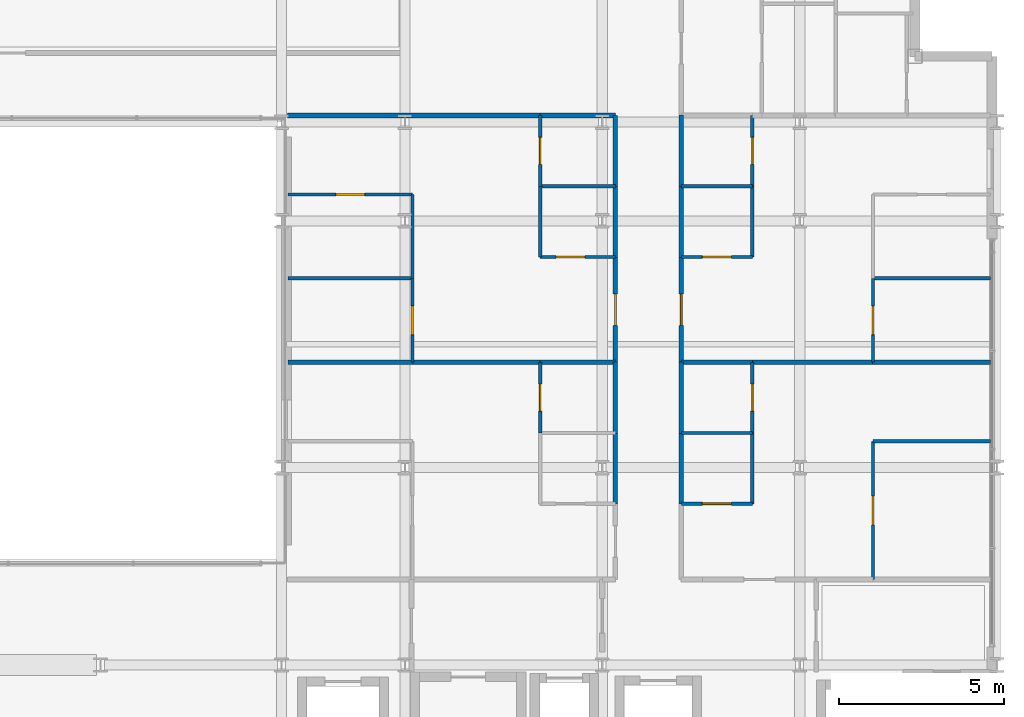
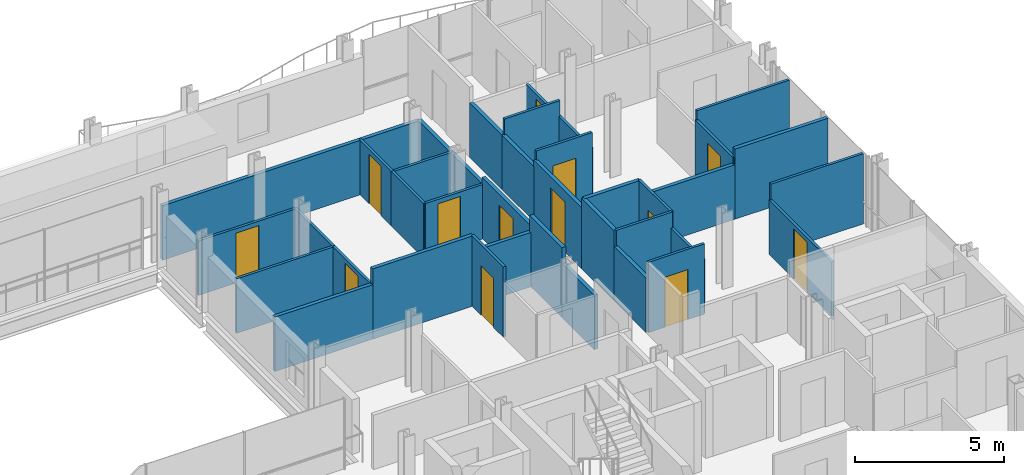
# One storey, part 36 of 40: 39 walls, 13 doors, 13 openings.
"""IFC4 building model written with IfcOpenShell, lengths in metres."""

from ifc_helpers import new_model, si_unit, direction, frame, frame_2d, origin, place, context, subcontext, project, spatial, rectangle, extrude, material, layer, layer_set, type_object, element, fill, save


model = new_model("IFC4")

# Units and contexts
model_context = context("Model", 3, precision=1e-05, world=origin(), true_north=direction((0.0, 1.0)))
body_context = subcontext(model_context, "Body", "Model", "MODEL_VIEW")
ifc_project = project(units=[si_unit("LENGTHUNIT", "METRE"), si_unit("AREAUNIT", "SQUARE_METRE"), si_unit("VOLUMEUNIT", "CUBIC_METRE"), si_unit("PLANEANGLEUNIT", "RADIAN"), si_unit("MASSUNIT", "GRAM", prefix="KILO")], contexts=[model_context])

# Site, building, storey
site_placement = place(None, origin())
site = spatial("IfcSite", under=ifc_project, at=site_placement, CompositionType="ELEMENT")
building_placement = place(site_placement, origin())
building = spatial("IfcBuilding", under=site, at=building_placement, Name="Brevholm Reach", CompositionType="ELEMENT")
storey_placement = place(building_placement, frame((0.0, 0.0, 80.699951171875)))
storey = spatial("IfcBuildingStorey", under=building, at=storey_placement, Name="L23", CompositionType="ELEMENT", Elevation=80.699951171875)

# Wall, opening, door
ifc_material_1 = material(Name="Moisture-Resistant Acoustic Gypsum Stud Partition 100 mm", Category="gypsum")
ifc_layer_1 = layer(ifc_material_1, 0.10009765625)
ifc_layer_set_1 = layer_set([ifc_layer_1], Name="Moisture-Resistant Acoustic Gypsum Stud Partition 100 mm")
wall_type_1 = type_object("IfcWallType", Name="WAL-PRT-100", PredefinedType="PARTITIONING", material=ifc_layer_set_1)
wall_1_placement = place(storey_placement, frame((46.112060546875, 17.050048828125, 0.0), z_axis=(0.0, 0.0, 1.0), x_axis=(0.0, 1.0, 0.0)))
wall_1 = element("IfcWall", 1, at=wall_1_placement, inside=storey, type_object=wall_type_1, Name="L23 Internal Partition 131", PredefinedType="PARTITIONING", context=body_context, shape_type="SweptSolid", body=[
    extrude(rectangle(XDim=2.14990234375, YDim=0.10009765625, at=frame_2d((1.074951171875, 0.0))), origin(), (0.0, 0.0, 1.0), 2.8701171875),
])
opening_1_placement = place(wall_1_placement, frame((0.6650390625, 0.0, 0.0)))
opening_1 = element("IfcOpeningElement", 2, at=opening_1_placement, cuts=wall_1, Name="Opening ID-03", PredefinedType="OPENING", context=body_context, shape_type="SweptSolid", body=[
    extrude(rectangle(XDim=0.820068359375, YDim=2.02001953125, at=frame_2d((0.41015625, 1.010009765625))), frame((0.0, 0.06005859375, 0.0), z_axis=(0.0, -1.0, 0.0), x_axis=(1.0, 0.0, 0.0)), (0.0, 0.0, 1.0), 0.1201171875),
])
ifc_material_2 = material(Name="Moisture-Resistant Painted Timber Internal Bathroom Door", Category="wood")
door_type_1 = type_object("IfcDoorType", Name="DOR-BATH-820", OperationType="NOTDEFINED", PredefinedType="DOOR", material=ifc_material_2)
door_1_placement = place(opening_1_placement, origin())
door_1 = element("IfcDoor", 3, at=door_1_placement, inside=storey, type_object=door_type_1, Name="L23 Internal Door 050", OperationType="SINGLE_SWING_LEFT", OverallHeight=2.02001953125, OverallWidth=0.820068359375, PredefinedType="DOOR", context=body_context, shape_type="SweptSolid", body=[
    extrude(rectangle(XDim=0.820068359375, YDim=2.02001953125, at=frame_2d((0.41015625, 1.010009765625))), frame((0.0, 0.02490234375, 0.0), z_axis=(0.0, -1.0, 0.0), x_axis=(1.0, 0.0, 0.0)), (0.0, 0.0, 1.0), 0.050048828125),
])
fill(opening_1, door_1)

# Wall
wall_2_placement = place(storey_placement, frame((46.112060546875, 24.550048828125, 0.0), z_axis=(0.0, 0.0, 1.0), x_axis=(1.0, 0.0, 0.0)))
element("IfcWall", 4, at=wall_2_placement, inside=storey, type_object=wall_type_1, Name="L23 Internal Partition 139", PredefinedType="PARTITIONING", context=body_context, shape_type="SweptSolid", body=[
    extrude(rectangle(XDim=2.283935546875, YDim=0.10009765625, at=frame_2d((1.14208984375, 0.0))), origin(), (0.0, 0.0, 1.0), 2.224853515625),
])

# Wall, opening, door
wall_3_placement = place(storey_placement, frame((46.112060546875, 24.550048828125, 0.0), z_axis=(0.0, 0.0, 1.0), x_axis=(0.0, 1.0, 0.0)))
wall_3 = element("IfcWall", 5, at=wall_3_placement, inside=storey, type_object=wall_type_1, Name="L23 Internal Partition 140", PredefinedType="PARTITIONING", context=body_context, shape_type="SweptSolid", body=[
    extrude(rectangle(XDim=2.14599609375, YDim=0.10009765625, at=frame_2d((1.072998046875, 0.0))), origin(), (0.0, 0.0, 1.0), 2.224853515625),
])
opening_2_placement = place(wall_3_placement, frame((0.6630859375, 0.0, 0.0)))
opening_2 = element("IfcOpeningElement", 6, at=opening_2_placement, cuts=wall_3, Name="Opening ID-03", PredefinedType="OPENING", context=body_context, shape_type="SweptSolid", body=[
    extrude(rectangle(XDim=0.820068359375, YDim=2.02001953125, at=frame_2d((0.41015625, 1.010009765625))), frame((0.0, 0.06005859375, 0.0), z_axis=(0.0, -1.0, 0.0), x_axis=(1.0, 0.0, 0.0)), (0.0, 0.0, 1.0), 0.1201171875),
])
door_2_placement = place(opening_2_placement, origin())
door_2 = element("IfcDoor", 7, at=door_2_placement, inside=storey, type_object=door_type_1, Name="L23 Internal Door 053", OperationType="SINGLE_SWING_RIGHT", OverallHeight=2.02001953125, OverallWidth=0.820068359375, PredefinedType="DOOR", context=body_context, shape_type="SweptSolid", body=[
    extrude(rectangle(XDim=0.820068359375, YDim=2.02001953125, at=frame_2d((0.41015625, 1.010009765625))), frame((0.0, 0.02490234375, 0.0), z_axis=(0.0, -1.0, 0.0), x_axis=(1.0, 0.0, 0.0)), (0.0, 0.0, 1.0), 0.050048828125),
])
fill(opening_2, door_2)

wall_4_placement = place(storey_placement, frame((46.112060546875, 22.39990234375, 0.0), z_axis=(0.0, 0.0, 1.0), x_axis=(1.0, 0.0, 0.0)))
wall_4 = element("IfcWall", 8, at=wall_4_placement, inside=storey, type_object=wall_type_1, Name="L23 Internal Partition 141", PredefinedType="PARTITIONING", context=body_context, shape_type="SweptSolid", body=[
    extrude(rectangle(XDim=2.283935546875, YDim=0.10009765625, at=frame_2d((1.14208984375, 0.0))), origin(), (0.0, 0.0, 1.0), 2.224853515625),
])
opening_3_placement = place(wall_4_placement, frame((0.48193359375, 0.0, 0.0)))
opening_3 = element("IfcOpeningElement", 9, at=opening_3_placement, cuts=wall_4, Name="Opening ID-01", PredefinedType="OPENING", context=body_context, shape_type="SweptSolid", body=[
    extrude(rectangle(XDim=0.8798828125, YDim=2.0400390625, at=frame_2d((0.43994140625, 1.02001953125))), frame((0.0, 0.06005859375, 0.0), z_axis=(0.0, -1.0, 0.0), x_axis=(1.0, 0.0, 0.0)), (0.0, 0.0, 1.0), 0.1201171875),
])
ifc_material_3 = material(Name="Lacquered Ash Solid-Core Acoustic Internal Door", Category="timber")
door_type_2 = type_object("IfcDoorType", Name="DOR-INT-880", OperationType="NOTDEFINED", PredefinedType="DOOR", material=ifc_material_3)
door_3_placement = place(opening_3_placement, origin())
door_3 = element("IfcDoor", 10, at=door_3_placement, inside=storey, type_object=door_type_2, Name="L23 Internal Door 054", OperationType="SINGLE_SWING_LEFT", OverallHeight=2.0400390625, OverallWidth=0.8798828125, PredefinedType="DOOR", context=body_context, shape_type="SweptSolid", body=[
    extrude(rectangle(XDim=0.8798828125, YDim=2.0400390625, at=frame_2d((0.43994140625, 1.02001953125))), frame((0.0, 0.02490234375, 0.0), z_axis=(0.0, -1.0, 0.0), x_axis=(1.0, 0.0, 0.0)), (0.0, 0.0, 1.0), 0.050048828125),
])
fill(opening_3, door_3)

# Walls
wall_5_placement = place(storey_placement, frame((46.112060546875, 22.39990234375, 0.0), z_axis=(0.0, 0.0, 1.0), x_axis=(0.0, 1.0, 0.0)))
element("IfcWall", 11, at=wall_5_placement, inside=storey, type_object=wall_type_1, Name="L23 Internal Partition 142", PredefinedType="PARTITIONING", context=body_context, shape_type="SweptSolid", body=[
    extrude(rectangle(XDim=2.14599609375, YDim=0.10009765625, at=frame_2d((1.072998046875, 0.0))), origin(), (0.0, 0.0, 1.0), 2.224853515625),
])
wall_6_placement = place(storey_placement, frame((38.449951171875, 21.75, 0.0), z_axis=(0.0, 0.0, 1.0), x_axis=(1.0, 0.0, 0.0)))
element("IfcWall", 12, at=wall_6_placement, inside=storey, type_object=wall_type_1, Name="L23 Internal Partition 143", PredefinedType="PARTITIONING", context=body_context, shape_type="SweptSolid", body=[
    extrude(rectangle(XDim=3.781005859375, YDim=0.10009765625, at=frame_2d((1.890625, 0.0))), origin(), (0.0, 0.0, 1.0), 2.224853515625),
])

# Wall, opening, door
wall_7_placement = place(storey_placement, frame((42.23095703125, 19.2041015625, 0.0), z_axis=(0.0, 0.0, 1.0), x_axis=(0.0, 1.0, 0.0)))
wall_7 = element("IfcWall", 13, at=wall_7_placement, inside=storey, type_object=wall_type_1, Name="L23 Internal Partition 144", PredefinedType="PARTITIONING", context=body_context, shape_type="SweptSolid", body=[
    extrude(rectangle(XDim=2.5458984375, YDim=0.10009765625, at=frame_2d((1.27294921875, 0.0))), origin(), (0.0, 0.0, 1.0), 2.224853515625),
])
opening_4_placement = place(wall_7_placement, frame((0.8330078125, 0.0, 0.0)))
opening_4 = element("IfcOpeningElement", 14, at=opening_4_placement, cuts=wall_7, Name="Opening ID-01", PredefinedType="OPENING", context=body_context, shape_type="SweptSolid", body=[
    extrude(rectangle(XDim=0.8798828125, YDim=2.0400390625, at=frame_2d((0.43994140625, 1.02001953125))), frame((0.0, 0.06005859375, 0.0), z_axis=(0.0, -1.0, 0.0), x_axis=(1.0, 0.0, 0.0)), (0.0, 0.0, 1.0), 0.1201171875),
])
door_4_placement = place(opening_4_placement, origin())
door_4 = element("IfcDoor", 15, at=door_4_placement, inside=storey, type_object=door_type_2, Name="L23 Internal Door 055", OperationType="SINGLE_SWING_RIGHT", OverallHeight=2.0400390625, OverallWidth=0.8798828125, PredefinedType="DOOR", context=body_context, shape_type="SweptSolid", body=[
    extrude(rectangle(XDim=0.8798828125, YDim=2.0400390625, at=frame_2d((0.43994140625, 1.02001953125))), frame((0.0, 0.02490234375, 0.0), z_axis=(0.0, -1.0, 0.0), x_axis=(1.0, 0.0, 0.0)), (0.0, 0.0, 1.0), 0.050048828125),
])
fill(opening_4, door_4)

# Wall
wall_8_placement = place(storey_placement, frame((42.23095703125, 21.75390625, 0.0), z_axis=(0.0, 0.0, 1.0), x_axis=(0.0, 1.0, 0.0)))
element("IfcWall", 16, at=wall_8_placement, inside=storey, type_object=wall_type_1, Name="L23 Internal Partition 145", PredefinedType="PARTITIONING", context=body_context, shape_type="SweptSolid", body=[
    extrude(rectangle(XDim=2.546142578125, YDim=0.10009765625, at=frame_2d((1.27294921875, 0.0))), origin(), (0.0, 0.0, 1.0), 2.224853515625),
])

# Wall, opening, door
wall_9_placement = place(storey_placement, frame((38.449951171875, 24.300048828125, 0.0), z_axis=(0.0, 0.0, 1.0), x_axis=(1.0, 0.0, 0.0)))
wall_9 = element("IfcWall", 17, at=wall_9_placement, inside=storey, type_object=wall_type_1, Name="L23 Internal Partition 146", PredefinedType="PARTITIONING", context=body_context, shape_type="SweptSolid", body=[
    extrude(rectangle(XDim=3.781005859375, YDim=0.10009765625, at=frame_2d((1.890625, 0.0))), origin(), (0.0, 0.0, 1.0), 2.224853515625),
])
opening_5_placement = place(wall_9_placement, frame((1.450439453125, 0.0, 0.0)))
opening_5 = element("IfcOpeningElement", 18, at=opening_5_placement, cuts=wall_9, Name="Opening ID-01", PredefinedType="OPENING", context=body_context, shape_type="SweptSolid", body=[
    extrude(rectangle(XDim=0.8798828125, YDim=2.0400390625, at=frame_2d((0.43994140625, 1.02001953125))), frame((0.0, 0.06005859375, 0.0), z_axis=(0.0, -1.0, 0.0), x_axis=(1.0, 0.0, 0.0)), (0.0, 0.0, 1.0), 0.1201171875),
])
door_5_placement = place(opening_5_placement, origin())
door_5 = element("IfcDoor", 19, at=door_5_placement, inside=storey, type_object=door_type_2, Name="L23 Internal Door 056", OperationType="SINGLE_SWING_LEFT", OverallHeight=2.0400390625, OverallWidth=0.8798828125, PredefinedType="DOOR", context=body_context, shape_type="SweptSolid", body=[
    extrude(rectangle(XDim=0.8798828125, YDim=2.0400390625, at=frame_2d((0.43994140625, 1.02001953125))), frame((0.0, 0.02490234375, 0.0), z_axis=(0.0, -1.0, 0.0), x_axis=(1.0, 0.0, 0.0)), (0.0, 0.0, 1.0), 0.050048828125),
])
fill(opening_5, door_5)

# Wall
wall_10_placement = place(storey_placement, frame((50.404052734375, 17.050048828125, 0.0), z_axis=(0.0, 0.0, 1.0), x_axis=(1.0, 0.0, 0.0)))
element("IfcWall", 20, at=wall_10_placement, inside=storey, type_object=wall_type_1, Name="L23 Internal Partition 147", PredefinedType="PARTITIONING", context=body_context, shape_type="SweptSolid", body=[
    extrude(rectangle(XDim=2.157958984375, YDim=0.10009765625, at=frame_2d((1.0791015625, 0.0))), origin(), (0.0, 0.0, 1.0), 2.8701171875),
])

# Wall, opening, door
wall_11_placement = place(storey_placement, frame((52.56201171875, 17.050048828125, 0.0), z_axis=(0.0, 0.0, 1.0), x_axis=(0.0, 1.0, 0.0)))
wall_11 = element("IfcWall", 21, at=wall_11_placement, inside=storey, type_object=wall_type_1, Name="L23 Internal Partition 148", PredefinedType="PARTITIONING", context=body_context, shape_type="SweptSolid", body=[
    extrude(rectangle(XDim=2.14990234375, YDim=0.10009765625, at=frame_2d((1.074951171875, 0.0))), origin(), (0.0, 0.0, 1.0), 2.8701171875),
])
opening_6_placement = place(wall_11_placement, frame((0.6650390625, 0.0, 0.0)))
opening_6 = element("IfcOpeningElement", 22, at=opening_6_placement, cuts=wall_11, Name="Opening ID-03", PredefinedType="OPENING", context=body_context, shape_type="SweptSolid", body=[
    extrude(rectangle(XDim=0.820068359375, YDim=2.02001953125, at=frame_2d((0.41015625, 1.010009765625))), frame((0.0, 0.06005859375, 0.0), z_axis=(0.0, -1.0, 0.0), x_axis=(1.0, 0.0, 0.0)), (0.0, 0.0, 1.0), 0.1201171875),
])
door_6_placement = place(opening_6_placement, origin())
door_6 = element("IfcDoor", 23, at=door_6_placement, inside=storey, type_object=door_type_1, Name="L23 Internal Door 057", OperationType="SINGLE_SWING_RIGHT", OverallHeight=2.02001953125, OverallWidth=0.820068359375, PredefinedType="DOOR", context=body_context, shape_type="SweptSolid", body=[
    extrude(rectangle(XDim=0.820068359375, YDim=2.02001953125, at=frame_2d((0.41015625, 1.010009765625))), frame((0.0, 0.02490234375, 0.0), z_axis=(0.0, -1.0, 0.0), x_axis=(1.0, 0.0, 0.0)), (0.0, 0.0, 1.0), 0.050048828125),
])
fill(opening_6, door_6)

wall_12_placement = place(storey_placement, frame((50.404052734375, 14.89990234375, 0.0), z_axis=(0.0, 0.0, 1.0), x_axis=(1.0, 0.0, 0.0)))
wall_12 = element("IfcWall", 24, at=wall_12_placement, inside=storey, type_object=wall_type_1, Name="L23 Internal Partition 150", PredefinedType="PARTITIONING", context=body_context, shape_type="SweptSolid", body=[
    extrude(rectangle(XDim=2.157958984375, YDim=0.10009765625, at=frame_2d((1.0791015625, 0.0))), origin(), (0.0, 0.0, 1.0), 2.8701171875),
])
opening_7_placement = place(wall_12_placement, frame((0.638916015625, 0.0, 0.0)))
opening_7 = element("IfcOpeningElement", 25, at=opening_7_placement, cuts=wall_12, Name="Opening ID-01", PredefinedType="OPENING", context=body_context, shape_type="SweptSolid", body=[
    extrude(rectangle(XDim=0.8798828125, YDim=2.0400390625, at=frame_2d((0.43994140625, 1.02001953125))), frame((0.0, 0.06005859375, 0.0), z_axis=(0.0, -1.0, 0.0), x_axis=(1.0, 0.0, 0.0)), (0.0, 0.0, 1.0), 0.1201171875),
])
door_7_placement = place(opening_7_placement, origin())
door_7 = element("IfcDoor", 26, at=door_7_placement, inside=storey, type_object=door_type_2, Name="L23 Internal Door 058", OperationType="SINGLE_SWING_LEFT", OverallHeight=2.0400390625, OverallWidth=0.8798828125, PredefinedType="DOOR", context=body_context, shape_type="SweptSolid", body=[
    extrude(rectangle(XDim=0.8798828125, YDim=2.0400390625, at=frame_2d((0.43994140625, 1.02001953125))), frame((0.0, 0.02490234375, 0.0), z_axis=(0.0, -1.0, 0.0), x_axis=(1.0, 0.0, 0.0)), (0.0, 0.0, 1.0), 0.050048828125),
])
fill(opening_7, door_7)

# Walls
wall_13_placement = place(storey_placement, frame((52.56201171875, 14.89990234375, 0.0), z_axis=(0.0, 0.0, 1.0), x_axis=(0.0, 1.0, 0.0)))
element("IfcWall", 27, at=wall_13_placement, inside=storey, type_object=wall_type_1, Name="L23 Internal Partition 151", PredefinedType="PARTITIONING", context=body_context, shape_type="SweptSolid", body=[
    extrude(rectangle(XDim=2.14599609375, YDim=0.10009765625, at=frame_2d((1.072998046875, 0.0))), origin(), (0.0, 0.0, 1.0), 2.224853515625),
])
wall_14_placement = place(storey_placement, frame((56.22802734375, 16.800048828125, 0.0), z_axis=(0.0, 0.0, 1.0), x_axis=(1.0, 0.0, 0.0)))
element("IfcWall", 28, at=wall_14_placement, inside=storey, type_object=wall_type_1, Name="L23 Internal Partition 152", PredefinedType="PARTITIONING", context=body_context, shape_type="SweptSolid", body=[
    extrude(rectangle(XDim=3.572021484375, YDim=0.10009765625, at=frame_2d((1.7861328125, 0.0))), origin(), (0.0, 0.0, 1.0), 2.8701171875),
])

# Wall, opening, door
wall_15_placement = place(storey_placement, frame((56.22802734375, 12.60400390625, 0.0), z_axis=(0.0, 0.0, 1.0), x_axis=(0.0, 1.0, 0.0)))
wall_15 = element("IfcWall", 29, at=wall_15_placement, inside=storey, type_object=wall_type_1, Name="L23 Internal Partition 153", PredefinedType="PARTITIONING", context=body_context, shape_type="SweptSolid", body=[
    extrude(rectangle(XDim=4.196044921875, YDim=0.10009765625, at=frame_2d((2.09814453125, 0.0))), origin(), (0.0, 0.0, 1.0), 2.224853515625),
])
opening_8_placement = place(wall_15_placement, frame((1.657958984375, 0.0, 0.0)))
opening_8 = element("IfcOpeningElement", 30, at=opening_8_placement, cuts=wall_15, Name="Opening ID-01", PredefinedType="OPENING", context=body_context, shape_type="SweptSolid", body=[
    extrude(rectangle(XDim=0.8798828125, YDim=2.0400390625, at=frame_2d((0.43994140625, 1.02001953125))), frame((0.0, 0.06005859375, 0.0), z_axis=(0.0, -1.0, 0.0), x_axis=(1.0, 0.0, 0.0)), (0.0, 0.0, 1.0), 0.1201171875),
])
door_8_placement = place(opening_8_placement, origin())
door_8 = element("IfcDoor", 31, at=door_8_placement, inside=storey, type_object=door_type_2, Name="L23 Internal Door 059", OperationType="SINGLE_SWING_RIGHT", OverallHeight=2.0400390625, OverallWidth=0.8798828125, PredefinedType="DOOR", context=body_context, shape_type="SweptSolid", body=[
    extrude(rectangle(XDim=0.8798828125, YDim=2.0400390625, at=frame_2d((0.43994140625, 1.02001953125))), frame((0.0, 0.02490234375, 0.0), z_axis=(0.0, -1.0, 0.0), x_axis=(1.0, 0.0, 0.0)), (0.0, 0.0, 1.0), 0.050048828125),
])
fill(opening_8, door_8)

# Wall
wall_16_placement = place(storey_placement, frame((50.404052734375, 24.550048828125, 0.0), z_axis=(0.0, 0.0, 1.0), x_axis=(1.0, 0.0, 0.0)))
element("IfcWall", 32, at=wall_16_placement, inside=storey, type_object=wall_type_1, Name="L23 Internal Partition 156", PredefinedType="PARTITIONING", context=body_context, shape_type="SweptSolid", body=[
    extrude(rectangle(XDim=2.157958984375, YDim=0.10009765625, at=frame_2d((1.0791015625, 0.0))), origin(), (0.0, 0.0, 1.0), 2.8701171875),
])

# Wall, opening, door
wall_17_placement = place(storey_placement, frame((52.56201171875, 24.550048828125, 0.0), z_axis=(0.0, 0.0, 1.0), x_axis=(0.0, 1.0, 0.0)))
wall_17 = element("IfcWall", 33, at=wall_17_placement, inside=storey, type_object=wall_type_1, Name="L23 Internal Partition 157", PredefinedType="PARTITIONING", context=body_context, shape_type="SweptSolid", body=[
    extrude(rectangle(XDim=2.14990234375, YDim=0.10009765625, at=frame_2d((1.074951171875, 0.0))), origin(), (0.0, 0.0, 1.0), 2.224853515625),
])
opening_9_placement = place(wall_17_placement, frame((0.6650390625, 0.0, 0.0)))
opening_9 = element("IfcOpeningElement", 34, at=opening_9_placement, cuts=wall_17, Name="Opening ID-03", PredefinedType="OPENING", context=body_context, shape_type="SweptSolid", body=[
    extrude(rectangle(XDim=0.820068359375, YDim=2.02001953125, at=frame_2d((0.41015625, 1.010009765625))), frame((0.0, 0.06005859375, 0.0), z_axis=(0.0, -1.0, 0.0), x_axis=(1.0, 0.0, 0.0)), (0.0, 0.0, 1.0), 0.1201171875),
])
door_9_placement = place(opening_9_placement, origin())
door_9 = element("IfcDoor", 35, at=door_9_placement, inside=storey, type_object=door_type_1, Name="L23 Internal Door 060", OperationType="SINGLE_SWING_LEFT", OverallHeight=2.02001953125, OverallWidth=0.820068359375, PredefinedType="DOOR", context=body_context, shape_type="SweptSolid", body=[
    extrude(rectangle(XDim=0.820068359375, YDim=2.02001953125, at=frame_2d((0.41015625, 1.010009765625))), frame((0.0, 0.02490234375, 0.0), z_axis=(0.0, -1.0, 0.0), x_axis=(1.0, 0.0, 0.0)), (0.0, 0.0, 1.0), 0.050048828125),
])
fill(opening_9, door_9)

wall_18_placement = place(storey_placement, frame((50.404052734375, 22.39990234375, 0.0), z_axis=(0.0, 0.0, 1.0), x_axis=(1.0, 0.0, 0.0)))
wall_18 = element("IfcWall", 36, at=wall_18_placement, inside=storey, type_object=wall_type_1, Name="L23 Internal Partition 159", PredefinedType="PARTITIONING", context=body_context, shape_type="SweptSolid", body=[
    extrude(rectangle(XDim=2.157958984375, YDim=0.10009765625, at=frame_2d((1.0791015625, 0.0))), origin(), (0.0, 0.0, 1.0), 2.8701171875),
])
opening_10_placement = place(wall_18_placement, frame((0.638916015625, 0.0, 0.0)))
opening_10 = element("IfcOpeningElement", 37, at=opening_10_placement, cuts=wall_18, Name="Opening ID-01", PredefinedType="OPENING", context=body_context, shape_type="SweptSolid", body=[
    extrude(rectangle(XDim=0.8798828125, YDim=2.0400390625, at=frame_2d((0.43994140625, 1.02001953125))), frame((0.0, 0.06005859375, 0.0), z_axis=(0.0, -1.0, 0.0), x_axis=(1.0, 0.0, 0.0)), (0.0, 0.0, 1.0), 0.1201171875),
])
door_10_placement = place(opening_10_placement, origin())
door_10 = element("IfcDoor", 38, at=door_10_placement, inside=storey, type_object=door_type_2, Name="L23 Internal Door 061", OperationType="SINGLE_SWING_RIGHT", OverallHeight=2.0400390625, OverallWidth=0.8798828125, PredefinedType="DOOR", context=body_context, shape_type="SweptSolid", body=[
    extrude(rectangle(XDim=0.8798828125, YDim=2.0400390625, at=frame_2d((0.43994140625, 1.02001953125))), frame((0.0, 0.02490234375, 0.0), z_axis=(0.0, -1.0, 0.0), x_axis=(1.0, 0.0, 0.0)), (0.0, 0.0, 1.0), 0.050048828125),
])
fill(opening_10, door_10)

# Walls
wall_19_placement = place(storey_placement, frame((52.56201171875, 22.39990234375, 0.0), z_axis=(0.0, 0.0, 1.0), x_axis=(0.0, 1.0, 0.0)))
element("IfcWall", 39, at=wall_19_placement, inside=storey, type_object=wall_type_1, Name="L23 Internal Partition 160", PredefinedType="PARTITIONING", context=body_context, shape_type="SweptSolid", body=[
    extrude(rectangle(XDim=2.14599609375, YDim=0.10009765625, at=frame_2d((1.072998046875, 0.0))), origin(), (0.0, 0.0, 1.0), 2.224853515625),
])
wall_20_placement = place(storey_placement, frame((56.22802734375, 21.75, 0.0), z_axis=(0.0, 0.0, 1.0), x_axis=(1.0, 0.0, 0.0)))
element("IfcWall", 40, at=wall_20_placement, inside=storey, type_object=wall_type_1, Name="L23 Internal Partition 161", PredefinedType="PARTITIONING", context=body_context, shape_type="SweptSolid", body=[
    extrude(rectangle(XDim=3.572021484375, YDim=0.10009765625, at=frame_2d((1.7861328125, 0.0))), origin(), (0.0, 0.0, 1.0), 2.8701171875),
])

# Wall, opening, door
wall_21_placement = place(storey_placement, frame((56.22802734375, 19.2041015625, 0.0), z_axis=(0.0, 0.0, 1.0), x_axis=(0.0, 1.0, 0.0)))
wall_21 = element("IfcWall", 41, at=wall_21_placement, inside=storey, type_object=wall_type_1, Name="L23 Internal Partition 162", PredefinedType="PARTITIONING", context=body_context, shape_type="SweptSolid", body=[
    extrude(rectangle(XDim=2.5458984375, YDim=0.10009765625, at=frame_2d((1.27294921875, 0.0))), origin(), (0.0, 0.0, 1.0), 2.489990234375),
])
opening_11_placement = place(wall_21_placement, frame((0.8330078125, 0.0, 0.0)))
opening_11 = element("IfcOpeningElement", 42, at=opening_11_placement, cuts=wall_21, Name="Opening ID-01", PredefinedType="OPENING", context=body_context, shape_type="SweptSolid", body=[
    extrude(rectangle(XDim=0.8798828125, YDim=2.0400390625, at=frame_2d((0.43994140625, 1.02001953125))), frame((0.0, 0.06005859375, 0.0), z_axis=(0.0, -1.0, 0.0), x_axis=(1.0, 0.0, 0.0)), (0.0, 0.0, 1.0), 0.1201171875),
])
door_11_placement = place(opening_11_placement, origin())
door_11 = element("IfcDoor", 43, at=door_11_placement, inside=storey, type_object=door_type_2, Name="L23 Internal Door 062", OperationType="SINGLE_SWING_LEFT", OverallHeight=2.0400390625, OverallWidth=0.8798828125, PredefinedType="DOOR", context=body_context, shape_type="SweptSolid", body=[
    extrude(rectangle(XDim=0.8798828125, YDim=2.0400390625, at=frame_2d((0.43994140625, 1.02001953125))), frame((0.0, 0.02490234375, 0.0), z_axis=(0.0, -1.0, 0.0), x_axis=(1.0, 0.0, 0.0)), (0.0, 0.0, 1.0), 0.050048828125),
])
fill(opening_11, door_11)

# Walls
ifc_material_4 = material(Name="Twin-Stud Acoustic Fire-Rated Gypsum Partition 140 mm", Category="gypsum")
ifc_layer_2 = layer(ifc_material_4, 0.139892578125)
ifc_layer_set_2 = layer_set([ifc_layer_2], Name="Twin-Stud Acoustic Fire-Rated Gypsum Partition 140 mm")
wall_type_2 = type_object("IfcWallType", Name="WAL-PRT-140", PredefinedType="PARTITIONING", material=ifc_layer_set_2)
wall_22_placement = place(storey_placement, frame((48.39990234375, 17.038818359375, 0.0), z_axis=(0.0, 0.0, 1.0), x_axis=(0.0, 1.0, 0.0)))
element("IfcWall", 44, at=wall_22_placement, inside=storey, type_object=wall_type_2, Name="L23 Internal Partition 046", PredefinedType="PARTITIONING", context=body_context, shape_type="SweptSolid", body=[
    extrude(rectangle(XDim=2.17236328125, YDim=0.139892578125, at=frame_2d((1.086181640625, 0.0))), origin(), (0.0, 0.0, 1.0), 2.8701171875),
])
wall_23_placement = place(storey_placement, frame((48.39990234375, 14.888671875, 0.0), z_axis=(0.0, 0.0, 1.0), x_axis=(0.0, 1.0, 0.0)))
element("IfcWall", 45, at=wall_23_placement, inside=storey, type_object=wall_type_2, Name="L23 Internal Partition 047", PredefinedType="PARTITIONING", context=body_context, shape_type="SweptSolid", body=[
    extrude(rectangle(XDim=2.168701171875, YDim=0.139892578125, at=frame_2d((1.08447265625, 0.0))), origin(), (0.0, 0.0, 1.0), 2.224853515625),
])
wall_24_placement = place(storey_placement, frame((48.39990234375, 24.538818359375, 0.0), z_axis=(0.0, 0.0, 1.0), x_axis=(0.0, 1.0, 0.0)))
element("IfcWall", 46, at=wall_24_placement, inside=storey, type_object=wall_type_2, Name="L23 Internal Partition 049", PredefinedType="PARTITIONING", context=body_context, shape_type="SweptSolid", body=[
    extrude(rectangle(XDim=2.16845703125, YDim=0.139892578125, at=frame_2d((1.084228515625, 0.0))), origin(), (0.0, 0.0, 1.0), 2.224853515625),
])
wall_25_placement = place(storey_placement, frame((48.39990234375, 22.388671875, 0.0), z_axis=(0.0, 0.0, 1.0), x_axis=(0.0, 1.0, 0.0)))
element("IfcWall", 47, at=wall_25_placement, inside=storey, type_object=wall_type_2, Name="L23 Internal Partition 050", PredefinedType="PARTITIONING", context=body_context, shape_type="SweptSolid", body=[
    extrude(rectangle(XDim=2.168701171875, YDim=0.139892578125, at=frame_2d((1.08447265625, 0.0))), origin(), (0.0, 0.0, 1.0), 2.224853515625),
])

# Wall, opening, door
wall_26_placement = place(storey_placement, frame((48.39990234375, 19.192626953125, 0.0), z_axis=(0.0, 0.0, 1.0), x_axis=(0.0, 1.0, 0.0)))
wall_26 = element("IfcWall", 48, at=wall_26_placement, inside=storey, type_object=wall_type_2, Name="L23 Internal Partition 051", PredefinedType="PARTITIONING", context=body_context, shape_type="SweptSolid", body=[
    extrude(rectangle(XDim=3.214599609375, YDim=0.139892578125, at=frame_2d((1.607421875, 0.0))), origin(), (0.0, 0.0, 1.0), 2.489990234375),
])
opening_12_placement = place(wall_26_placement, frame((1.13232421875, 0.0, 0.0)))
opening_12 = element("IfcOpeningElement", 49, at=opening_12_placement, cuts=wall_26, Name="Opening ID-30", PredefinedType="OPENING", context=body_context, shape_type="SweptSolid", body=[
    extrude(rectangle(XDim=0.949951171875, YDim=2.050048828125, at=frame_2d((0.47509765625, 1.02490234375))), frame((0.0, 0.079833984375, 0.0), z_axis=(0.0, -1.0, 0.0), x_axis=(1.0, 0.0, 0.0)), (0.0, 0.0, 1.0), 0.159912109375),
])
ifc_material_5 = material(Name="European Oak Veneered Solid-Core Fire Entrance Door", Category="timber")
door_type_3 = type_object("IfcDoorType", Name="DOR-FLT-FD30S", OperationType="NOTDEFINED", PredefinedType="DOOR", material=ifc_material_5)
door_12_placement = place(opening_12_placement, origin())
door_12 = element("IfcDoor", 50, at=door_12_placement, inside=storey, type_object=door_type_3, Name="L23 Internal Door 023", OperationType="SINGLE_SWING_RIGHT", OverallHeight=2.050048828125, OverallWidth=0.949951171875, PredefinedType="DOOR", context=body_context, shape_type="SweptSolid", body=[
    extrude(rectangle(XDim=0.949951171875, YDim=2.050048828125, at=frame_2d((0.47509765625, 1.02490234375))), frame((0.0, 0.02490234375, 0.0), z_axis=(0.0, -1.0, 0.0), x_axis=(1.0, 0.0, 0.0)), (0.0, 0.0, 1.0), 0.050048828125),
])
fill(opening_12, door_12)

# Walls
wall_27_placement = place(storey_placement, frame((50.39990234375, 17.038818359375, 0.0), z_axis=(0.0, 0.0, 1.0), x_axis=(0.0, 1.0, 0.0)))
element("IfcWall", 51, at=wall_27_placement, inside=storey, type_object=wall_type_2, Name="L23 Internal Partition 052", PredefinedType="PARTITIONING", context=body_context, shape_type="SweptSolid", body=[
    extrude(rectangle(XDim=2.17236328125, YDim=0.139892578125, at=frame_2d((1.086181640625, 0.0))), origin(), (0.0, 0.0, 1.0), 2.8701171875),
])
wall_28_placement = place(storey_placement, frame((50.39990234375, 14.888671875, 0.0), z_axis=(0.0, 0.0, 1.0), x_axis=(0.0, 1.0, 0.0)))
element("IfcWall", 52, at=wall_28_placement, inside=storey, type_object=wall_type_2, Name="L23 Internal Partition 053", PredefinedType="PARTITIONING", context=body_context, shape_type="SweptSolid", body=[
    extrude(rectangle(XDim=2.168701171875, YDim=0.139892578125, at=frame_2d((1.08447265625, 0.0))), origin(), (0.0, 0.0, 1.0), 2.224853515625),
])
wall_29_placement = place(storey_placement, frame((50.39990234375, 24.538818359375, 0.0), z_axis=(0.0, 0.0, 1.0), x_axis=(0.0, 1.0, 0.0)))
element("IfcWall", 53, at=wall_29_placement, inside=storey, type_object=wall_type_2, Name="L23 Internal Partition 055", PredefinedType="PARTITIONING", context=body_context, shape_type="SweptSolid", body=[
    extrude(rectangle(XDim=2.17236328125, YDim=0.139892578125, at=frame_2d((1.086181640625, 0.0))), origin(), (0.0, 0.0, 1.0), 2.224853515625),
])
wall_30_placement = place(storey_placement, frame((50.39990234375, 22.388671875, 0.0), z_axis=(0.0, 0.0, 1.0), x_axis=(0.0, 1.0, 0.0)))
element("IfcWall", 54, at=wall_30_placement, inside=storey, type_object=wall_type_2, Name="L23 Internal Partition 056", PredefinedType="PARTITIONING", context=body_context, shape_type="SweptSolid", body=[
    extrude(rectangle(XDim=2.168701171875, YDim=0.139892578125, at=frame_2d((1.08447265625, 0.0))), origin(), (0.0, 0.0, 1.0), 2.224853515625),
])

# Wall, opening, door
wall_31_placement = place(storey_placement, frame((50.39990234375, 19.192626953125, 0.0), z_axis=(0.0, 0.0, 1.0), x_axis=(0.0, 1.0, 0.0)))
wall_31 = element("IfcWall", 55, at=wall_31_placement, inside=storey, type_object=wall_type_2, Name="L23 Internal Partition 057", PredefinedType="PARTITIONING", context=body_context, shape_type="SweptSolid", body=[
    extrude(rectangle(XDim=3.214599609375, YDim=0.139892578125, at=frame_2d((1.607421875, 0.0))), origin(), (0.0, 0.0, 1.0), 2.489990234375),
])
opening_13_placement = place(wall_31_placement, frame((1.13232421875, 0.0, 0.0)))
opening_13 = element("IfcOpeningElement", 56, at=opening_13_placement, cuts=wall_31, Name="Opening ID-30", PredefinedType="OPENING", context=body_context, shape_type="SweptSolid", body=[
    extrude(rectangle(XDim=0.949951171875, YDim=2.050048828125, at=frame_2d((0.47509765625, 1.02490234375))), frame((0.0, 0.079833984375, 0.0), z_axis=(0.0, -1.0, 0.0), x_axis=(1.0, 0.0, 0.0)), (0.0, 0.0, 1.0), 0.159912109375),
])
door_13_placement = place(opening_13_placement, origin())
door_13 = element("IfcDoor", 57, at=door_13_placement, inside=storey, type_object=door_type_3, Name="L23 Internal Door 024", OperationType="SINGLE_SWING_LEFT", OverallHeight=2.050048828125, OverallWidth=0.949951171875, PredefinedType="DOOR", context=body_context, shape_type="SweptSolid", body=[
    extrude(rectangle(XDim=0.949951171875, YDim=2.050048828125, at=frame_2d((0.47509765625, 1.02490234375))), frame((0.0, 0.02490234375, 0.0), z_axis=(0.0, -1.0, 0.0), x_axis=(1.0, 0.0, 0.0)), (0.0, 0.0, 1.0), 0.050048828125),
])
fill(opening_13, door_13)

# Walls
wall_32_placement = place(storey_placement, frame((46.1005859375, 26.699951171875, 0.0), z_axis=(0.0, 0.0, 1.0), x_axis=(1.0, 0.0, 0.0)))
element("IfcWall", 58, at=wall_32_placement, inside=storey, type_object=wall_type_2, Name="L23 Internal Partition 061", PredefinedType="PARTITIONING", context=body_context, shape_type="SweptSolid", body=[
    extrude(rectangle(XDim=2.29541015625, YDim=0.139892578125, at=frame_2d((1.147705078125, 0.0))), origin(), (0.0, 0.0, 1.0), 2.224853515625),
])
wall_33_placement = place(storey_placement, frame((38.438720703125, 26.699951171875, 0.0), z_axis=(0.0, 0.0, 1.0), x_axis=(1.0, 0.0, 0.0)))
element("IfcWall", 59, at=wall_33_placement, inside=storey, type_object=wall_type_2, Name="L23 Internal Partition 062", PredefinedType="PARTITIONING", context=body_context, shape_type="SweptSolid", body=[
    extrude(rectangle(XDim=7.6806640625, YDim=0.139892578125, at=frame_2d((3.84033203125, 0.0))), origin(), (0.0, 0.0, 1.0), 2.224853515625),
])
wall_34_placement = place(storey_placement, frame((46.112060546875, 19.199951171875, 0.0), z_axis=(0.0, 0.0, 1.0), x_axis=(1.0, 0.0, 0.0)))
element("IfcWall", 60, at=wall_34_placement, inside=storey, type_object=wall_type_2, Name="L23 Internal Partition 132", PredefinedType="PARTITIONING", context=body_context, shape_type="SweptSolid", body=[
    extrude(rectangle(XDim=2.283935546875, YDim=0.139892578125, at=frame_2d((1.14208984375, 0.0))), origin(), (0.0, 0.0, 1.0), 2.224853515625),
])
wall_35_placement = place(storey_placement, frame((38.449951171875, 19.199951171875, 0.0), z_axis=(0.0, 0.0, 1.0), x_axis=(1.0, 0.0, 0.0)))
element("IfcWall", 61, at=wall_35_placement, inside=storey, type_object=wall_type_2, Name="L23 Internal Partition 137", PredefinedType="PARTITIONING", context=body_context, shape_type="SweptSolid", body=[
    extrude(rectangle(XDim=3.792236328125, YDim=0.139892578125, at=frame_2d((1.89599609375, 0.0))), origin(), (0.0, 0.0, 1.0), 2.224853515625),
])
wall_36_placement = place(storey_placement, frame((42.2236328125, 19.199951171875, 0.0), z_axis=(0.0, 0.0, 1.0), x_axis=(1.0, 0.0, 0.0)))
element("IfcWall", 62, at=wall_36_placement, inside=storey, type_object=wall_type_2, Name="L23 Internal Partition 138", PredefinedType="PARTITIONING", context=body_context, shape_type="SweptSolid", body=[
    extrude(rectangle(XDim=3.88427734375, YDim=0.139892578125, at=frame_2d((1.942138671875, 0.0))), origin(), (0.0, 0.0, 1.0), 2.8701171875),
])
wall_37_placement = place(storey_placement, frame((50.404052734375, 19.199951171875, 0.0), z_axis=(0.0, 0.0, 1.0), x_axis=(1.0, 0.0, 0.0)))
element("IfcWall", 63, at=wall_37_placement, inside=storey, type_object=wall_type_2, Name="L23 Internal Partition 149", PredefinedType="PARTITIONING", context=body_context, shape_type="SweptSolid", body=[
    extrude(rectangle(XDim=2.157958984375, YDim=0.139892578125, at=frame_2d((1.0791015625, 0.0))), origin(), (0.0, 0.0, 1.0), 2.8701171875),
])
wall_38_placement = place(storey_placement, frame((56.216796875, 19.199951171875, 0.0), z_axis=(0.0, 0.0, 1.0), x_axis=(1.0, 0.0, 0.0)))
element("IfcWall", 64, at=wall_38_placement, inside=storey, type_object=wall_type_2, Name="L23 Internal Partition 154", PredefinedType="PARTITIONING", context=body_context, shape_type="SweptSolid", body=[
    extrude(rectangle(XDim=3.583251953125, YDim=0.139892578125, at=frame_2d((1.79150390625, 0.0))), origin(), (0.0, 0.0, 1.0), 2.8701171875),
])
wall_39_placement = place(storey_placement, frame((52.56591796875, 19.199951171875, 0.0), z_axis=(0.0, 0.0, 1.0), x_axis=(1.0, 0.0, 0.0)))
element("IfcWall", 65, at=wall_39_placement, inside=storey, type_object=wall_type_2, Name="L23 Internal Partition 155", PredefinedType="PARTITIONING", context=body_context, shape_type="SweptSolid", body=[
    extrude(rectangle(XDim=3.66943359375, YDim=0.139892578125, at=frame_2d((1.834716796875, 0.0))), origin(), (0.0, 0.0, 1.0), 2.224853515625),
])

save(model, "model.ifc")
